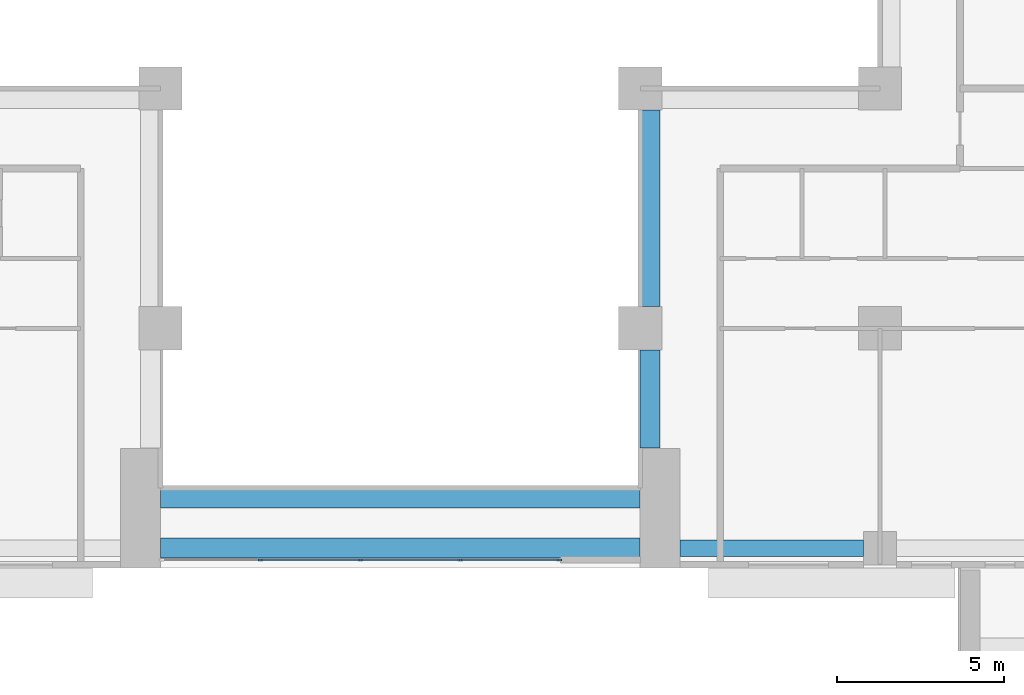
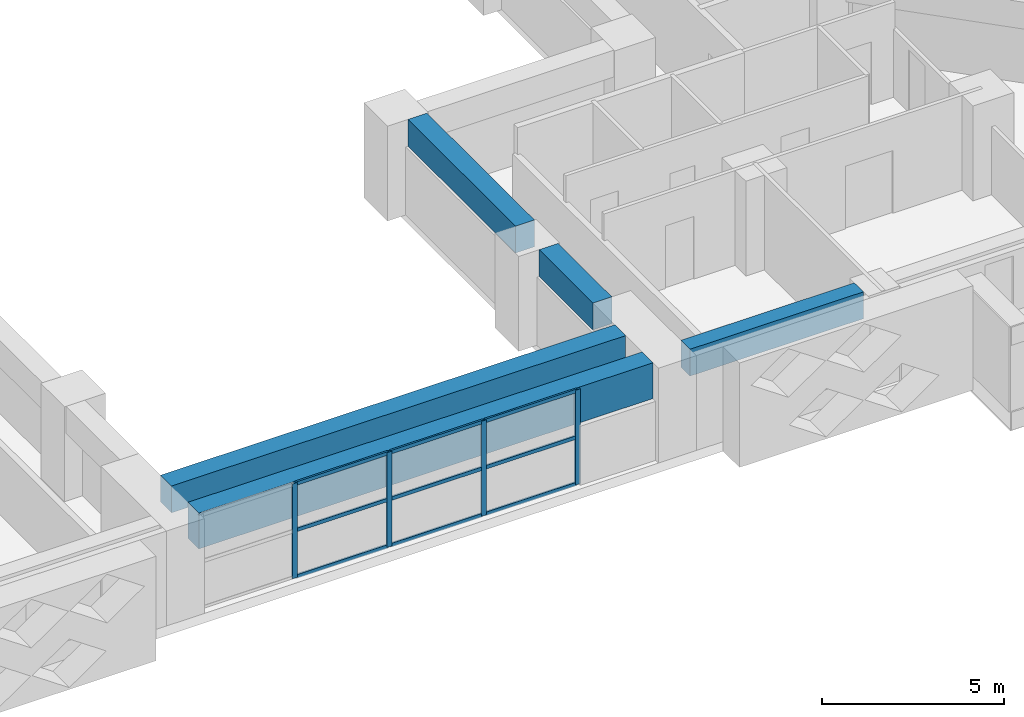
# One storey, part 4 of 16: 13 members, 5 beams, 1 element without a shape of its own.
"""IFC4 building model written with IfcOpenShell, lengths in metres."""

from ifc_helpers import new_model, si_unit, direction, frame, origin, origin_2d, place, context, subcontext, project, spatial, rectangle, extrude, source, transform, mapped, material, layer, layer_set, material_profile, profile_set, type_object, element, aggregate, save


model = new_model("IFC4")

# Units and contexts
model_context = context("Model", 3, precision=1e-05, world=origin(), true_north=direction((0.0, 1.0)))
body_context = subcontext(model_context, "Body", "Model", "MODEL_VIEW")
ifc_project = project(units=[si_unit("LENGTHUNIT", "METRE"), si_unit("AREAUNIT", "SQUARE_METRE"), si_unit("VOLUMEUNIT", "CUBIC_METRE"), si_unit("PLANEANGLEUNIT", "RADIAN"), si_unit("MASSUNIT", "GRAM", prefix="KILO")], contexts=[model_context])

# Site, building, storey
site_placement = place(None, origin())
site = spatial("IfcSite", under=ifc_project, at=site_placement, CompositionType="ELEMENT")
building_placement = place(site_placement, origin())
building = spatial("IfcBuilding", under=site, at=building_placement, Name="Saffron Iwan Residences", CompositionType="ELEMENT")
storey_placement = place(building_placement, frame((0.0, 0.0, 90.0)))
storey = spatial("IfcBuildingStorey", under=building, at=storey_placement, Name="L23", CompositionType="ELEMENT", Elevation=90.0)

# Beams
ifc_material_1 = material(Name="Concrete C60/75", Category="concrete")
ifc_material_profile_1 = material_profile(ifc_material_1, rectangle(XDim=0.60009765625, YDim=1.199951171875, at=origin_2d()), Name="RC 600x1200")
ifc_profile_set_1 = profile_set([ifc_material_profile_1], Name="Concrete C60/75")
beam_type_1 = type_object("IfcBeamType", Name="LINTEL BEAM RC 600x1200 C60/75 TOP 3180", PredefinedType="LINTEL", material=ifc_profile_set_1)
shared_shape_1 = source(origin(), body_context, "Body", "SweptSolid", [
    extrude(rectangle(XDim=0.60009765625, YDim=1.199951171875, at=origin_2d()), origin(), (0.0, 0.0, 1.0), 14.400146484375),
])
beam_1_placement = place(storey_placement, frame((57.60009765625, 34.199951171875, 2.580078125), z_axis=(-1.0, 0.0, 0.0), x_axis=(0.0, -1.0, 0.0)))
element("IfcBeam", 1, at=beam_1_placement, inside=storey, type_object=beam_type_1, Name="Lintel beam over the iwan", PredefinedType="LINTEL", context=body_context, shape_type="MappedRepresentation", body=[
    mapped(shared_shape_1, transform((0.0, 0.0, 0.0))),
])
ifc_material_profile_2 = material_profile(ifc_material_1, rectangle(XDim=0.60009765625, YDim=0.89990234375, at=origin_2d()), Name="RC 600x900")
ifc_profile_set_2 = profile_set([ifc_material_profile_2], Name="Concrete C60/75")
beam_type_2 = type_object("IfcBeamType", Name="BEAM RC 600x900 C60/75 TOP 3180", PredefinedType="BEAM", material=ifc_profile_set_2)
shared_shape_2 = source(origin(), body_context, "Body", "SweptSolid", [
    extrude(rectangle(XDim=0.60009765625, YDim=0.89990234375, at=origin_2d()), origin(), (0.0, 0.0, 1.0), 14.400146484375),
])
beam_2_placement = place(storey_placement, frame((57.60009765625, 35.699951171875, 2.72998046875), z_axis=(-1.0, 0.0, 0.0), x_axis=(0.0, -1.0, 0.0)))
element("IfcBeam", 2, at=beam_2_placement, inside=storey, type_object=beam_type_2, Name="Atrium edge beam", PredefinedType="BEAM", context=body_context, shape_type="MappedRepresentation", body=[
    mapped(shared_shape_2, transform((0.0, 0.0, 0.0))),
])
ifc_material_profile_3 = material_profile(ifc_material_1, rectangle(XDim=0.5, YDim=0.89990234375, at=origin_2d()), Name="RC 500x900")
ifc_profile_set_3 = profile_set([ifc_material_profile_3], Name="Concrete C60/75")
beam_type_3 = type_object("IfcBeamType", Name="SPANDREL BEAM RC 500x900 C60/75 TOP 3180", PredefinedType="SPANDREL", material=ifc_profile_set_3)
shared_shape_3 = source(origin(), body_context, "Body", "SweptSolid", [
    extrude(rectangle(XDim=0.5, YDim=0.89990234375, at=origin_2d()), origin(), (0.0, 0.0, 1.0), 5.5),
])
beam_3_placement = place(storey_placement, frame((64.300048828125, 34.199951171875, 2.72998046875), z_axis=(-1.0, 0.0, 0.0), x_axis=(0.0, -1.0, 0.0)))
element("IfcBeam", 3, at=beam_3_placement, inside=storey, type_object=beam_type_3, Name="Spandrel beam", PredefinedType="SPANDREL", context=body_context, shape_type="MappedRepresentation", body=[
    mapped(shared_shape_3, transform((0.0, 0.0, 0.0))),
])
shared_shape_4 = source(origin(), body_context, "Body", "SweptSolid", [
    extrude(rectangle(XDim=0.60009765625, YDim=0.89990234375, at=origin_2d()), origin(), (0.0, 0.0, 1.0), 2.949951171875),
])
beam_4_placement = place(storey_placement, frame((57.89990234375, 40.14990234375, 2.72998046875), z_axis=(0.0, -1.0, 0.0), x_axis=(1.0, 0.0, 0.0)))
element("IfcBeam", 4, at=beam_4_placement, inside=storey, type_object=beam_type_2, Name="Atrium edge beam", PredefinedType="BEAM", context=body_context, shape_type="MappedRepresentation", body=[
    mapped(shared_shape_4, transform((0.0, 0.0, 0.0))),
])
shared_shape_5 = source(origin(), body_context, "Body", "SweptSolid", [
    extrude(rectangle(XDim=0.60009765625, YDim=0.89990234375, at=origin_2d()), origin(), (0.0, 0.0, 1.0), 5.900146484375),
])
beam_5_placement = place(storey_placement, frame((57.89990234375, 47.35009765625, 2.72998046875), z_axis=(0.0, -1.0, 0.0), x_axis=(1.0, 0.0, 0.0)))
element("IfcBeam", 5, at=beam_5_placement, inside=storey, type_object=beam_type_2, Name="Atrium edge beam", PredefinedType="BEAM", context=body_context, shape_type="MappedRepresentation", body=[
    mapped(shared_shape_5, transform((0.0, 0.0, 0.0))),
])

# Curtain wall, members
ifc_material_2 = material(Name="Clear glass, laminated double glazed", Category="glass")
ifc_layer = layer(ifc_material_2, 0.199951171875)
ifc_layer_set = layer_set([ifc_layer], Name="Clear glass, laminated double glazed")
curtain_wall_type = type_object("IfcCurtainWallType", Name="CW-B IWAN PORTAL", PredefinedType="NOTDEFINED", material=ifc_layer_set)
curtain_wall_placement = place(storey_placement, origin())
curtain_wall = element("IfcCurtainWall", 6, at=curtain_wall_placement, inside=storey, type_object=curtain_wall_type, Name="Iwan portal glazing L23.1", PredefinedType="NOTDEFINED")
ifc_material_3 = material(Name="Aluminium 6063-T6", Category="aluminium")
ifc_material_profile_4 = material_profile(ifc_material_3, rectangle(XDim=0.06005859375, YDim=0.159912109375, at=origin_2d()), Name="CW-B MULLION 60 x 160")
ifc_profile_set_4 = profile_set([ifc_material_profile_4], Name="Aluminium 6063-T6")
member_type_1 = type_object("IfcMemberType", Name="CW-B MULLION 60 x 160", PredefinedType="MULLION", material=ifc_profile_set_4)
shared_shape_6 = source(origin(), body_context, "Body", "SweptSolid", [
    extrude(rectangle(XDim=0.06005859375, YDim=0.159912109375, at=origin_2d()), origin(), (0.0, 0.0, 1.0), 3.179931640625),
])
member_1_placement = place(storey_placement, frame((46.199951171875, 33.85009765625, 0.0), z_axis=(0.0, 0.0, 1.0), x_axis=(0.0, 1.0, 0.0)))
member_1 = element("IfcMember", 7, at=member_1_placement, type_object=member_type_1, Name="CW-B mullion 2", PredefinedType="MULLION", context=body_context, shape_type="MappedRepresentation", body=[
    mapped(shared_shape_6, transform((0.0, 0.0, 0.0))),
])
member_2_placement = place(storey_placement, frame((49.199951171875, 33.85009765625, 0.0), z_axis=(0.0, 0.0, 1.0), x_axis=(0.0, 1.0, 0.0)))
member_2 = element("IfcMember", 8, at=member_2_placement, type_object=member_type_1, Name="CW-B mullion 3", PredefinedType="MULLION", context=body_context, shape_type="MappedRepresentation", body=[
    mapped(shared_shape_6, transform((0.0, 0.0, 0.0))),
])
member_3_placement = place(storey_placement, frame((52.199951171875, 33.85009765625, 0.0), z_axis=(0.0, 0.0, 1.0), x_axis=(0.0, 1.0, 0.0)))
member_3 = element("IfcMember", 9, at=member_3_placement, type_object=member_type_1, Name="CW-B mullion 4", PredefinedType="MULLION", context=body_context, shape_type="MappedRepresentation", body=[
    mapped(shared_shape_6, transform((0.0, 0.0, 0.0))),
])
member_4_placement = place(storey_placement, frame((55.169921875, 33.85009765625, 0.0), z_axis=(0.0, 0.0, 1.0), x_axis=(0.0, 1.0, 0.0)))
member_4 = element("IfcMember", 10, at=member_4_placement, type_object=member_type_1, Name="CW-B mullion 5", PredefinedType="MULLION", context=body_context, shape_type="MappedRepresentation", body=[
    mapped(shared_shape_6, transform((0.0, 0.0, 0.0))),
])
ifc_material_profile_5 = material_profile(ifc_material_3, rectangle(XDim=0.06005859375, YDim=0.1201171875, at=origin_2d()), Name="CW-B TRANSOM 60 x 120")
ifc_profile_set_5 = profile_set([ifc_material_profile_5], Name="Aluminium 6063-T6")
member_type_2 = type_object("IfcMemberType", Name="CW-B TRANSOM 60 x 120", PredefinedType="USERDEFINED", material=ifc_profile_set_5)
shared_shape_7 = source(origin(), body_context, "Body", "SweptSolid", [
    extrude(rectangle(XDim=0.06005859375, YDim=0.1201171875, at=origin_2d()), origin(), (0.0, 0.0, 1.0), 2.909912109375),
])
member_5_placement = place(storey_placement, frame((52.22998046875, 33.85009765625, 0.030029296875), z_axis=(1.0, 0.0, 0.0), x_axis=(0.0, 1.0, 0.0)))
member_5 = element("IfcMember", 11, at=member_5_placement, type_object=member_type_2, Name="CW-B transom 4.1", ObjectType="TRANSOM", PredefinedType="USERDEFINED", context=body_context, shape_type="MappedRepresentation", body=[
    mapped(shared_shape_7, transform((0.0, 0.0, 0.0))),
])
member_6_placement = place(storey_placement, frame((52.22998046875, 33.85009765625, 1.590087890625), z_axis=(1.0, 0.0, 0.0), x_axis=(0.0, 1.0, 0.0)))
member_6 = element("IfcMember", 12, at=member_6_placement, type_object=member_type_2, Name="CW-B transom 4.2", ObjectType="TRANSOM", PredefinedType="USERDEFINED", context=body_context, shape_type="MappedRepresentation", body=[
    mapped(shared_shape_7, transform((0.0, 0.0, 0.0))),
])
member_7_placement = place(storey_placement, frame((52.22998046875, 33.85009765625, 3.14990234375), z_axis=(1.0, 0.0, 0.0), x_axis=(0.0, 1.0, 0.0)))
member_7 = element("IfcMember", 13, at=member_7_placement, type_object=member_type_2, Name="CW-B transom 4.3", ObjectType="TRANSOM", PredefinedType="USERDEFINED", context=body_context, shape_type="MappedRepresentation", body=[
    mapped(shared_shape_7, transform((0.0, 0.0, 0.0))),
])
shared_shape_8 = source(origin(), body_context, "Body", "SweptSolid", [
    extrude(rectangle(XDim=0.06005859375, YDim=0.1201171875, at=origin_2d()), origin(), (0.0, 0.0, 1.0), 2.93994140625),
])
member_8_placement = place(storey_placement, frame((46.22998046875, 33.85009765625, 0.030029296875), z_axis=(1.0, 0.0, 0.0), x_axis=(0.0, 1.0, 0.0)))
member_8 = element("IfcMember", 14, at=member_8_placement, type_object=member_type_2, Name="CW-B transom 2.1", ObjectType="TRANSOM", PredefinedType="USERDEFINED", context=body_context, shape_type="MappedRepresentation", body=[
    mapped(shared_shape_8, transform((0.0, 0.0, 0.0))),
])
member_9_placement = place(storey_placement, frame((46.22998046875, 33.85009765625, 1.590087890625), z_axis=(1.0, 0.0, 0.0), x_axis=(0.0, 1.0, 0.0)))
member_9 = element("IfcMember", 15, at=member_9_placement, type_object=member_type_2, Name="CW-B transom 2.2", ObjectType="TRANSOM", PredefinedType="USERDEFINED", context=body_context, shape_type="MappedRepresentation", body=[
    mapped(shared_shape_8, transform((0.0, 0.0, 0.0))),
])
member_10_placement = place(storey_placement, frame((46.22998046875, 33.85009765625, 3.14990234375), z_axis=(1.0, 0.0, 0.0), x_axis=(0.0, 1.0, 0.0)))
member_10 = element("IfcMember", 16, at=member_10_placement, type_object=member_type_2, Name="CW-B transom 2.3", ObjectType="TRANSOM", PredefinedType="USERDEFINED", context=body_context, shape_type="MappedRepresentation", body=[
    mapped(shared_shape_8, transform((0.0, 0.0, 0.0))),
])
member_11_placement = place(storey_placement, frame((49.22998046875, 33.85009765625, 0.030029296875), z_axis=(1.0, 0.0, 0.0), x_axis=(0.0, 1.0, 0.0)))
member_11 = element("IfcMember", 17, at=member_11_placement, type_object=member_type_2, Name="CW-B transom 3.1", ObjectType="TRANSOM", PredefinedType="USERDEFINED", context=body_context, shape_type="MappedRepresentation", body=[
    mapped(shared_shape_8, transform((0.0, 0.0, 0.0))),
])
member_12_placement = place(storey_placement, frame((49.22998046875, 33.85009765625, 1.590087890625), z_axis=(1.0, 0.0, 0.0), x_axis=(0.0, 1.0, 0.0)))
member_12 = element("IfcMember", 18, at=member_12_placement, type_object=member_type_2, Name="CW-B transom 3.2", ObjectType="TRANSOM", PredefinedType="USERDEFINED", context=body_context, shape_type="MappedRepresentation", body=[
    mapped(shared_shape_8, transform((0.0, 0.0, 0.0))),
])
member_13_placement = place(storey_placement, frame((49.22998046875, 33.85009765625, 3.14990234375), z_axis=(1.0, 0.0, 0.0), x_axis=(0.0, 1.0, 0.0)))
member_13 = element("IfcMember", 19, at=member_13_placement, type_object=member_type_2, Name="CW-B transom 3.3", ObjectType="TRANSOM", PredefinedType="USERDEFINED", context=body_context, shape_type="MappedRepresentation", body=[
    mapped(shared_shape_8, transform((0.0, 0.0, 0.0))),
])
aggregate(curtain_wall, [member_1, member_2, member_3, member_4, member_8, member_9, member_10, member_11, member_12, member_13, member_5, member_6, member_7])

save(model, "model.ifc")
